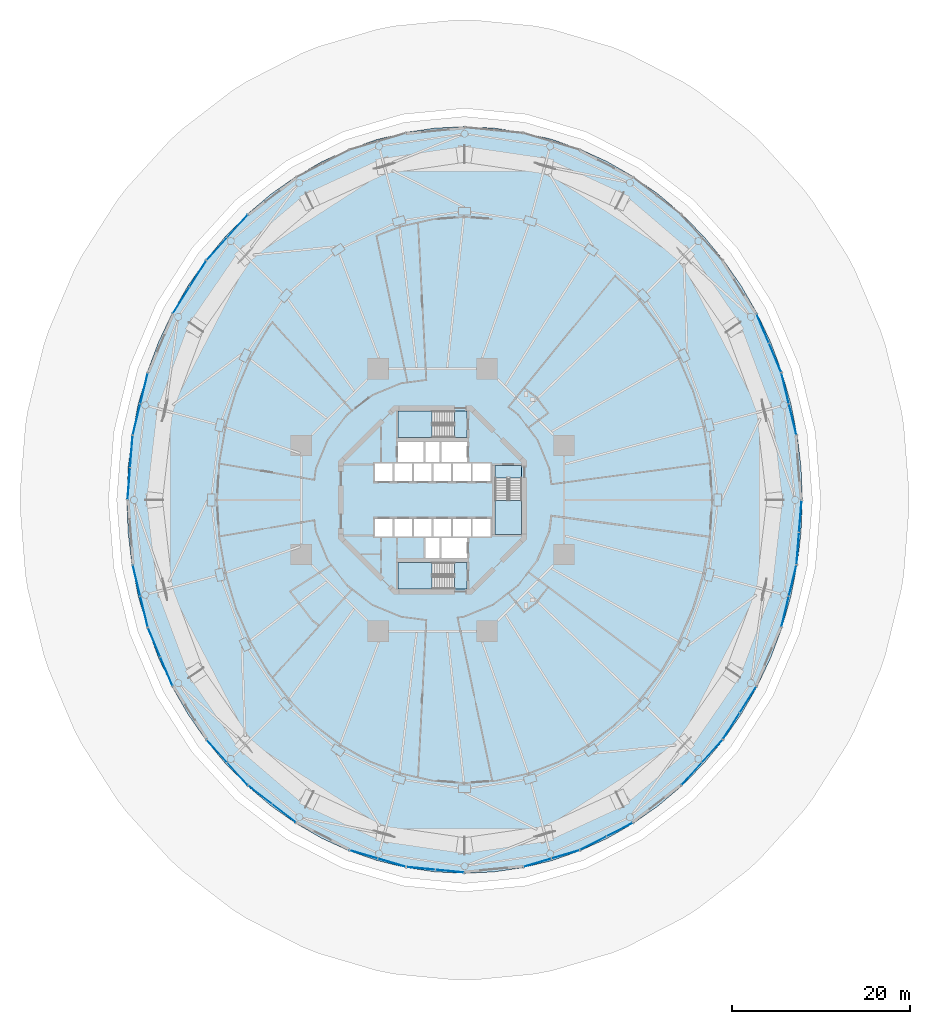
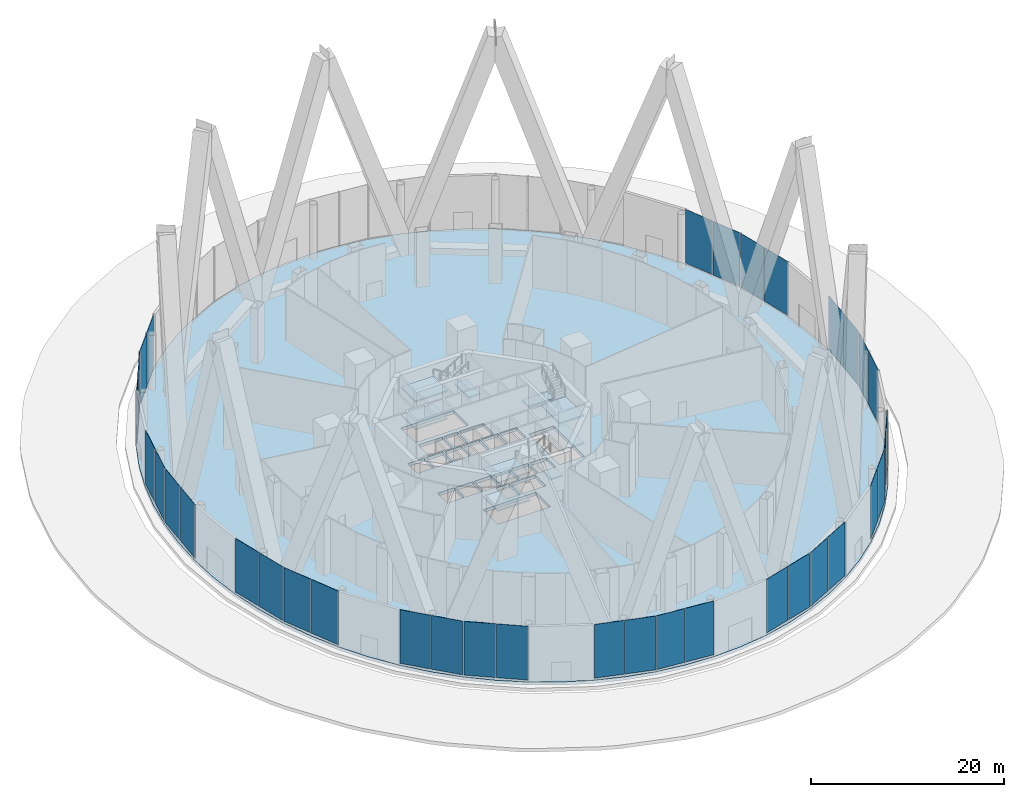
# One storey, part 56 of 67: 36 plates, 10 slabs, 21 elements without a shape of their own.
"""IFC4 building model written with IfcOpenShell, lengths in metres."""

import ifcopenshell
import ifcopenshell.guid

model = None  # the IFC model being written
_history = None  # IfcOwnerHistory: only IFC2X3 demands one
_inside = {}  # id of a spatial element -> (the spatial element, [elements in it])
_under = {}  # id of a project, library or spatial element -> (it, [spatial elements below it])
_declared = {}  # id of a project -> (the project, [libraries it declares])
_typed = {}  # id of a type object -> (the type object, [elements of that type])
_made_of = {}  # id of a material, layer set ... -> (it, [elements and type objects made of it])


def new_model(schema):
    """Start an empty IFC model of exactly this schema.

    Asked for "IFC4X3", IfcOpenShell would pick the latest addendum, in which some entities
    have other attributes; the version numbers below select the first issue.
    IFC2X3 requires an IfcOwnerHistory on every rooted entity: one is made here for all.
    """
    global model, _history
    if schema == "IFC4X3":
        model = ifcopenshell.file(schema_version=(4, 3, 0, 0))
    else:
        model = ifcopenshell.file(schema=schema)
    _inside.clear()
    _under.clear()
    _declared.clear()
    _typed.clear()
    _made_of.clear()
    _history = None
    if model.schema == "IFC2X3":
        org = make("IfcOrganization", Name="unknown")
        user = make(
            "IfcPersonAndOrganization",
            ThePerson=make("IfcPerson", FamilyName="unknown"),
            TheOrganization=org,
        )
        app = make(
            "IfcApplication",
            ApplicationDeveloper=org,
            Version="unknown",
            ApplicationFullName="unknown",
            ApplicationIdentifier="unknown",
        )
        _history = make(
            "IfcOwnerHistory",
            OwningUser=user,
            OwningApplication=app,
            ChangeAction="ADDED",
            CreationDate=0,
        )
    return model


def make(cls, **values):
    """One entity of the class cls with the attributes given. An attribute that is None is left unset."""
    return model.create_entity(
        cls, **{name: value for name, value in values.items() if value is not None}
    )


def rooted(cls, **values):
    """An entity with a GlobalId (a new one), such as an element, a storey or a relation."""
    return make(cls, GlobalId=ifcopenshell.guid.new(), OwnerHistory=_history, **values)


def si_unit(unit_type, name, prefix=None):
    """IfcSIUnit, for example si_unit("LENGTHUNIT", "METRE", prefix="MILLI")."""
    return make("IfcSIUnit", UnitType=unit_type, Prefix=prefix, Name=name)


def assignment(units):
    """IfcUnitAssignment: the units of a project."""
    return None if units is None else make("IfcUnitAssignment", Units=units)


def point(xyz):
    """IfcCartesianPoint."""
    return None if xyz is None else make("IfcCartesianPoint", Coordinates=xyz)


def direction(xyz):
    """IfcDirection."""
    return None if xyz is None else make("IfcDirection", DirectionRatios=xyz)


def frame(location, z_axis=None, x_axis=None):
    """IfcAxis2Placement3D, a coordinate frame: its origin and axes. An axis left out is left unset."""
    return make(
        "IfcAxis2Placement3D",
        Location=point(location),
        Axis=direction(z_axis),
        RefDirection=direction(x_axis),
    )


def frame_2d(location, x_axis=None):
    """IfcAxis2Placement2D, a coordinate frame in the plane: its origin and x axis."""
    return make(
        "IfcAxis2Placement2D", Location=point(location), RefDirection=direction(x_axis)
    )


def origin():
    """The frame at (0, 0, 0) with its axes left unset."""
    return frame((0.0, 0.0, 0.0))


def origin_2d():
    """The frame at (0, 0) in the plane with its x axis left unset."""
    return frame_2d((0.0, 0.0))


def place(relative_to, where):
    """IfcLocalPlacement: puts the frame where relative to a parent placement (None: the world)."""
    return make(
        "IfcLocalPlacement", PlacementRelTo=relative_to, RelativePlacement=where
    )


def context(
    kind, dimensions, precision=None, world=None, true_north=None, identifier=None
):
    """IfcGeometricRepresentationContext, for example the 3D "Model" context."""
    return make(
        "IfcGeometricRepresentationContext",
        ContextIdentifier=identifier,
        ContextType=kind,
        CoordinateSpaceDimension=dimensions,
        Precision=precision,
        WorldCoordinateSystem=world,
        TrueNorth=true_north,
    )


def subcontext(parent, identifier, kind, view, scale=None):
    """IfcGeometricRepresentationSubContext, for example "Body" below "Model"."""
    return make(
        "IfcGeometricRepresentationSubContext",
        ContextIdentifier=identifier,
        ContextType=kind,
        ParentContext=parent,
        TargetScale=scale,
        TargetView=view,
    )


def project(units=None, contexts=None):
    """IfcProject with its units and contexts."""
    return rooted(
        "IfcProject",
        Name="project",
        RepresentationContexts=contexts,
        UnitsInContext=assignment(units),
    )


def spatial(cls, under=None, at=None, **own):
    """A site, building, storey or space (cls), placed at a placement, below another one or the project."""
    s = rooted(cls, ObjectPlacement=at, **own)
    if under is not None:
        _under.setdefault(under.id(), (under, []))[1].append(s)
    return s


def polyline(points):
    """IfcPolyline through the points."""
    return make("IfcPolyline", Points=[point(p) for p in points])


def profile(cls, at=None, kind="AREA", **sizes):
    """A parametric profile (cls). Its sizes go by their IFC names, for example OverallWidth=200.0."""
    return make(cls, ProfileType=kind, Position=at, **sizes)


def rectangle(**sizes):
    """IfcRectangleProfileDef."""
    return profile("IfcRectangleProfileDef", **sizes)


def outline(outer, holes=None, kind="AREA"):
    """IfcArbitraryClosedProfileDef: a profile drawn as a closed curve; with holes, ...WithVoids."""
    if holes is None:
        return make("IfcArbitraryClosedProfileDef", ProfileType=kind, OuterCurve=outer)
    return make(
        "IfcArbitraryProfileDefWithVoids",
        ProfileType=kind,
        OuterCurve=outer,
        InnerCurves=holes,
    )


def extrude(swept, where, along, depth):
    """IfcExtrudedAreaSolid: the profile swept, set in the frame where, extruded along a direction by depth."""
    return make(
        "IfcExtrudedAreaSolid",
        SweptArea=swept,
        Position=where,
        ExtrudedDirection=direction(along),
        Depth=depth,
    )


def shape(context_of_items, identifier, shape_type, items):
    """IfcShapeRepresentation: the items that make up one representation, for example the "Body"."""
    return make(
        "IfcShapeRepresentation",
        ContextOfItems=context_of_items,
        RepresentationIdentifier=identifier,
        RepresentationType=shape_type,
        Items=items,
    )


def material(Name=None, Category=None):
    """IfcMaterial."""
    return make("IfcMaterial", Name=Name, Category=Category)


def layer(
    of_material, thickness, ventilated=None, Name=None, Category=None, Priority=None
):
    """IfcMaterialLayer: one layer of a wall or slab, of a material (None: an air gap)."""
    return make(
        "IfcMaterialLayer",
        Material=of_material,
        LayerThickness=thickness,
        IsVentilated=ventilated,
        Name=Name,
        Category=Category,
        Priority=Priority,
    )


def layer_set(layers, Name=None):
    """IfcMaterialLayerSet."""
    return make("IfcMaterialLayerSet", MaterialLayers=layers, LayerSetName=Name)


def made_of(thing, what):
    """Note that an element or type object is made of a material, layer set ...; save() writes the relation."""
    if what is not None:
        _made_of.setdefault(what.id(), (what, []))[1].append(thing)
    return thing


def type_object(cls, material=None, **own):
    """A type object (cls), such as IfcWallType, which elements share."""
    return made_of(rooted(cls, **own), material)


def element(
    cls,
    number,
    at=None,
    inside=None,
    cuts=None,
    type_object=None,
    material=None,
    context=None,
    identifier="Body",
    shape_type=None,
    held_by="IfcProductDefinitionShape",
    body=None,
    shapes=None,
    **own,
):
    """One element of the class cls, such as IfcWall. Its Tag is "e" and its number.

    at: its placement. inside: the storey or other place that contains it. cuts: it is an
    opening in that element (IfcRelVoidsElement). A single representation is given by context,
    identifier, shape_type and body (its items); several are given by shapes. held_by: the class
    of the entity that holds the representations. save() writes the other relations.
    """
    e = rooted(cls, Tag="e%d" % number, ObjectPlacement=at, **own)
    if body is not None:
        shapes = [shape(context, identifier, shape_type, body)]
    if shapes is not None:
        e.Representation = make(held_by, Representations=shapes)
    if inside is not None:
        _inside.setdefault(inside.id(), (inside, []))[1].append(e)
    if cuts is not None:
        rooted(
            "IfcRelVoidsElement", RelatingBuildingElement=cuts, RelatedOpeningElement=e
        )
    if type_object is not None:
        _typed.setdefault(type_object.id(), (type_object, []))[1].append(e)
    return made_of(e, material)


def aggregate(whole, parts):
    """IfcRelAggregates: a whole, such as a stair, and the parts it consists of."""
    return rooted("IfcRelAggregates", RelatingObject=whole, RelatedObjects=parts)


def save(model, path):
    """Write the relations noted so far, then the file.

    IfcRelAggregates (storeys below a building ...), IfcRelContainedInSpatialStructure (elements
    in a storey), IfcRelDefinesByType, IfcRelAssociatesMaterial and IfcRelDeclares: one each for
    every whole, place, type object, material and project.
    """
    for whole, parts in _under.values():
        aggregate(whole, parts)
    for where, things in _inside.values():
        rooted(
            "IfcRelContainedInSpatialStructure",
            RelatedElements=things,
            RelatingStructure=where,
        )
    for kind, things in _typed.values():
        rooted("IfcRelDefinesByType", RelatedObjects=things, RelatingType=kind)
    for what, things in _made_of.values():
        rooted("IfcRelAssociatesMaterial", RelatedObjects=things, RelatingMaterial=what)
    for by, libraries in _declared.values():
        rooted("IfcRelDeclares", RelatingContext=by, RelatedDefinitions=libraries)
    model.write(path)


model = new_model("IFC4")

# Units and contexts
model_context = context("Model", 3, precision=1e-05, world=origin(), true_north=direction((0.0, 1.0)))
body_context = subcontext(model_context, "Body", "Model", "MODEL_VIEW")
ifc_project = project(units=[si_unit("LENGTHUNIT", "METRE"), si_unit("AREAUNIT", "SQUARE_METRE"), si_unit("VOLUMEUNIT", "CUBIC_METRE"), si_unit("PLANEANGLEUNIT", "RADIAN"), si_unit("MASSUNIT", "GRAM", prefix="KILO")], contexts=[model_context])

# Site, building, storey
site_placement = place(None, origin())
site = spatial("IfcSite", under=ifc_project, at=site_placement, CompositionType="ELEMENT")
building_placement = place(site_placement, origin())
building = spatial("IfcBuilding", under=site, at=building_placement, Name="Nagisa Residences", CompositionType="ELEMENT")
storey_placement = place(building_placement, origin())
storey = spatial("IfcBuildingStorey", under=building, at=storey_placement, Name="L00", CompositionType="ELEMENT", Elevation=0.0)

# Curtain wall, plates
ifc_material_1 = material(Name="Stainless steel curtain wall system", Category="steel")
ifc_layer_1 = layer(ifc_material_1, 0.159912109375)
ifc_layer_set_1 = layer_set([ifc_layer_1], Name="CW3 CURTAIN WALL")
curtain_wall_type = type_object("IfcCurtainWallType", Name="CW3 CURTAIN WALL", PredefinedType="NOTDEFINED", material=ifc_layer_set_1)
curtain_wall_1_placement = place(storey_placement, origin())
curtain_wall_1 = element("IfcCurtainWall", 1, at=curtain_wall_1_placement, inside=storey, type_object=curtain_wall_type, Name="cw:CW3:L00:01", PredefinedType="NOTDEFINED")
ifc_material_2 = material(Name="Low-iron laminated glass", Category="glass")
ifc_layer_2 = layer(ifc_material_2, 0.028076171875)
ifc_layer_set_2 = layer_set([ifc_layer_2], Name="CW3 GLASS PANEL")
plate_type = type_object("IfcPlateType", Name="CW3 GLASS PANEL", PredefinedType="CURTAIN_PANEL", material=ifc_layer_set_2)
plate_1_placement = place(storey_placement, frame((40.51171875, 9.061767578125, 0.2001953125), z_axis=(0.0, 0.0, 1.0), x_axis=(-0.235605514043, 0.971848775146, 0.0)))
plate_1 = element("IfcPlate", 2, at=plate_1_placement, type_object=plate_type, Name="CW3 panel", PredefinedType="CURTAIN_PANEL", context=body_context, shape_type="SweptSolid", body=[
    extrude(rectangle(XDim=3.518310546875, YDim=0.028076171875, at=origin_2d()), origin(), (0.0, 0.0, 1.0), 6.800048828125),
])
plate_2_placement = place(storey_placement, frame((39.663818359375, 12.55859375, 0.2001953125), z_axis=(0.0, 0.0, 1.0), x_axis=(-0.235605514043, 0.971848775146, 0.0)))
plate_2 = element("IfcPlate", 3, at=plate_2_placement, type_object=plate_type, Name="CW3 panel", PredefinedType="CURTAIN_PANEL", context=body_context, shape_type="SweptSolid", body=[
    extrude(rectangle(XDim=3.518310546875, YDim=0.028076171875, at=origin_2d()), origin(), (0.0, 0.0, 1.0), 6.800048828125),
])
aggregate(curtain_wall_1, [plate_1, plate_2])

curtain_wall_2_placement = place(storey_placement, origin())
curtain_wall_2 = element("IfcCurtainWall", 4, at=curtain_wall_2_placement, inside=storey, type_object=curtain_wall_type, Name="cw:CW3:L00:02", PredefinedType="NOTDEFINED")
plate_3_placement = place(storey_placement, frame((38.527099609375, 16.010986328125, 0.2001953125), z_axis=(0.0, 0.0, 1.0), x_axis=(-0.388718029417, 0.921356767819, 0.0)))
plate_3 = element("IfcPlate", 5, at=plate_3_placement, type_object=plate_type, Name="CW3 panel", PredefinedType="CURTAIN_PANEL", context=body_context, shape_type="SweptSolid", body=[
    extrude(rectangle(XDim=3.480712890625, YDim=0.028076171875, at=origin_2d()), origin(), (0.0, 0.0, 1.0), 6.800048828125),
])
plate_4_placement = place(storey_placement, frame((37.142822265625, 19.291748046875, 0.2001953125), z_axis=(0.0, 0.0, 1.0), x_axis=(-0.388718029417, 0.921356767819, 0.0)))
plate_4 = element("IfcPlate", 6, at=plate_4_placement, type_object=plate_type, Name="CW3 panel", PredefinedType="CURTAIN_PANEL", context=body_context, shape_type="SweptSolid", body=[
    extrude(rectangle(XDim=3.480712890625, YDim=0.028076171875, at=origin_2d()), origin(), (0.0, 0.0, 1.0), 6.800048828125),
])
aggregate(curtain_wall_2, [plate_3, plate_4])

curtain_wall_3_placement = place(storey_placement, origin())
curtain_wall_3 = element("IfcCurtainWall", 7, at=curtain_wall_3_placement, inside=storey, type_object=curtain_wall_type, Name="cw:CW3:L00:13", PredefinedType="NOTDEFINED")
plate_5_placement = place(storey_placement, frame((-21.950927734375, 30.811279296875, 0.2001953125), z_axis=(0.0, 0.0, 1.0), x_axis=(-0.670913323971, -0.741535779122, 0.0)))
plate_5 = element("IfcPlate", 8, at=plate_5_placement, type_object=plate_type, Name="CW3 panel", PredefinedType="CURTAIN_PANEL", context=body_context, shape_type="SweptSolid", body=[
    extrude(rectangle(XDim=3.37060546875, YDim=0.028076171875, at=origin_2d()), origin(), (0.0, 0.0, 1.0), 6.800048828125),
])
plate_6_placement = place(storey_placement, frame((-24.26611328125, 28.25244140625, 0.2001953125), z_axis=(0.0, 0.0, 1.0), x_axis=(-0.670913323971, -0.741535779122, 0.0)))
plate_6 = element("IfcPlate", 9, at=plate_6_placement, type_object=plate_type, Name="CW3 panel", PredefinedType="CURTAIN_PANEL", context=body_context, shape_type="SweptSolid", body=[
    extrude(rectangle(XDim=3.37060546875, YDim=0.028076171875, at=origin_2d()), origin(), (0.0, 0.0, 1.0), 6.800048828125),
])
aggregate(curtain_wall_3, [plate_5, plate_6])

curtain_wall_4_placement = place(storey_placement, origin())
curtain_wall_4 = element("IfcCurtainWall", 10, at=curtain_wall_4_placement, inside=storey, type_object=curtain_wall_type, Name="cw:CW3:L00:14", PredefinedType="NOTDEFINED")
plate_7_placement = place(storey_placement, frame((-26.402587890625, 25.43798828125, 0.2001953125), z_axis=(0.0, 0.0, 1.0), x_axis=(-0.535165286856, -0.844747368001, 0.0)))
plate_7 = element("IfcPlate", 11, at=plate_7_placement, type_object=plate_type, Name="CW3 panel", PredefinedType="CURTAIN_PANEL", context=body_context, shape_type="SweptSolid", body=[
    extrude(rectangle(XDim=3.4296875, YDim=0.028076171875, at=origin_2d()), origin(), (0.0, 0.0, 1.0), 6.800048828125),
])
plate_8_placement = place(storey_placement, frame((-28.28076171875, 22.473388671875, 0.2001953125), z_axis=(0.0, 0.0, 1.0), x_axis=(-0.535165286856, -0.844747368001, 0.0)))
plate_8 = element("IfcPlate", 12, at=plate_8_placement, type_object=plate_type, Name="CW3 panel", PredefinedType="CURTAIN_PANEL", context=body_context, shape_type="SweptSolid", body=[
    extrude(rectangle(XDim=3.4296875, YDim=0.028076171875, at=origin_2d()), origin(), (0.0, 0.0, 1.0), 6.800048828125),
])
aggregate(curtain_wall_4, [plate_7, plate_8])

curtain_wall_5_placement = place(storey_placement, origin())
curtain_wall_5 = element("IfcCurtainWall", 13, at=curtain_wall_5_placement, inside=storey, type_object=curtain_wall_type, Name="cw:CW3:L00:16", PredefinedType="NOTDEFINED")
plate_9_placement = place(storey_placement, frame((-32.4638671875, 12.55859375, 0.2001953125), z_axis=(0.0, 0.0, 1.0), x_axis=(-0.235605514043, -0.971848775146, 0.0)))
plate_9 = element("IfcPlate", 14, at=plate_9_placement, type_object=plate_type, Name="CW3 panel", PredefinedType="CURTAIN_PANEL", context=body_context, shape_type="SweptSolid", body=[
    extrude(rectangle(XDim=3.518310546875, YDim=0.028076171875, at=origin_2d()), origin(), (0.0, 0.0, 1.0), 6.800048828125),
])
plate_10_placement = place(storey_placement, frame((-33.3115234375, 9.061767578125, 0.2001953125), z_axis=(0.0, 0.0, 1.0), x_axis=(-0.235605514043, -0.971848775146, 0.0)))
plate_10 = element("IfcPlate", 15, at=plate_10_placement, type_object=plate_type, Name="CW3 panel", PredefinedType="CURTAIN_PANEL", context=body_context, shape_type="SweptSolid", body=[
    extrude(rectangle(XDim=3.518310546875, YDim=0.028076171875, at=origin_2d()), origin(), (0.0, 0.0, 1.0), 6.800048828125),
])
aggregate(curtain_wall_5, [plate_9, plate_10])

curtain_wall_6_placement = place(storey_placement, origin())
curtain_wall_6 = element("IfcCurtainWall", 16, at=curtain_wall_6_placement, inside=storey, type_object=curtain_wall_type, Name="cw:CW3:L00:17", PredefinedType="NOTDEFINED")
plate_11_placement = place(storey_placement, frame((-33.888916015625, 5.443603515625, 0.2001953125), z_axis=(0.0, 0.0, 1.0), x_axis=(-0.078909582539, -0.996881777235, 0.0)))
plate_11 = element("IfcPlate", 17, at=plate_11_placement, type_object=plate_type, Name="CW3 panel", PredefinedType="CURTAIN_PANEL", context=body_context, shape_type="SweptSolid", body=[
    extrude(rectangle(XDim=3.5380859375, YDim=0.028076171875, at=origin_2d()), origin(), (0.0, 0.0, 1.0), 6.800048828125),
])
plate_12_placement = place(storey_placement, frame((-34.17431640625, 1.8369140625, 0.2001953125), z_axis=(0.0, 0.0, 1.0), x_axis=(-0.078909582539, -0.996881777235, 0.0)))
plate_12 = element("IfcPlate", 18, at=plate_12_placement, type_object=plate_type, Name="CW3 panel", PredefinedType="CURTAIN_PANEL", context=body_context, shape_type="SweptSolid", body=[
    extrude(rectangle(XDim=3.5380859375, YDim=0.028076171875, at=origin_2d()), origin(), (0.0, 0.0, 1.0), 6.800048828125),
])
aggregate(curtain_wall_6, [plate_11, plate_12])

curtain_wall_7_placement = place(storey_placement, origin())
curtain_wall_7 = element("IfcCurtainWall", 19, at=curtain_wall_7_placement, inside=storey, type_object=curtain_wall_type, Name="cw:CW3:L00:19", PredefinedType="NOTDEFINED")
plate_13_placement = place(storey_placement, frame((-33.3115234375, -9.061767578125, 0.2001953125), z_axis=(0.0, 0.0, 1.0), x_axis=(0.235605514043, -0.971848775146, 0.0)))
plate_13 = element("IfcPlate", 20, at=plate_13_placement, type_object=plate_type, Name="CW3 panel", PredefinedType="CURTAIN_PANEL", context=body_context, shape_type="SweptSolid", body=[
    extrude(rectangle(XDim=3.518310546875, YDim=0.028076171875, at=origin_2d()), origin(), (0.0, 0.0, 1.0), 6.800048828125),
])
plate_14_placement = place(storey_placement, frame((-32.4638671875, -12.55859375, 0.2001953125), z_axis=(0.0, 0.0, 1.0), x_axis=(0.235605514043, -0.971848775146, 0.0)))
plate_14 = element("IfcPlate", 21, at=plate_14_placement, type_object=plate_type, Name="CW3 panel", PredefinedType="CURTAIN_PANEL", context=body_context, shape_type="SweptSolid", body=[
    extrude(rectangle(XDim=3.518310546875, YDim=0.028076171875, at=origin_2d()), origin(), (0.0, 0.0, 1.0), 6.800048828125),
])
aggregate(curtain_wall_7, [plate_13, plate_14])

curtain_wall_8_placement = place(storey_placement, origin())
curtain_wall_8 = element("IfcCurtainWall", 22, at=curtain_wall_8_placement, inside=storey, type_object=curtain_wall_type, Name="cw:CW3:L00:20", PredefinedType="NOTDEFINED")
plate_15_placement = place(storey_placement, frame((-31.326904296875, -16.010986328125, 0.2001953125), z_axis=(0.0, 0.0, 1.0), x_axis=(0.388718029417, -0.921356767819, 0.0)))
plate_15 = element("IfcPlate", 23, at=plate_15_placement, type_object=plate_type, Name="CW3 panel", PredefinedType="CURTAIN_PANEL", context=body_context, shape_type="SweptSolid", body=[
    extrude(rectangle(XDim=3.480712890625, YDim=0.028076171875, at=origin_2d()), origin(), (0.0, 0.0, 1.0), 6.800048828125),
])
plate_16_placement = place(storey_placement, frame((-29.94287109375, -19.291748046875, 0.2001953125), z_axis=(0.0, 0.0, 1.0), x_axis=(0.388718029417, -0.921356767819, 0.0)))
plate_16 = element("IfcPlate", 24, at=plate_16_placement, type_object=plate_type, Name="CW3 panel", PredefinedType="CURTAIN_PANEL", context=body_context, shape_type="SweptSolid", body=[
    extrude(rectangle(XDim=3.480712890625, YDim=0.028076171875, at=origin_2d()), origin(), (0.0, 0.0, 1.0), 6.800048828125),
])
aggregate(curtain_wall_8, [plate_15, plate_16])

curtain_wall_9_placement = place(storey_placement, origin())
curtain_wall_9 = element("IfcCurtainWall", 25, at=curtain_wall_9_placement, inside=storey, type_object=curtain_wall_type, Name="cw:CW3:L00:22", PredefinedType="NOTDEFINED")
plate_17_placement = place(storey_placement, frame((-24.26611328125, -28.25244140625, 0.2001953125), z_axis=(0.0, 0.0, 1.0), x_axis=(0.670913323971, -0.741535779122, 0.0)))
plate_17 = element("IfcPlate", 26, at=plate_17_placement, type_object=plate_type, Name="CW3 panel", PredefinedType="CURTAIN_PANEL", context=body_context, shape_type="SweptSolid", body=[
    extrude(rectangle(XDim=3.37060546875, YDim=0.028076171875, at=origin_2d()), origin(), (0.0, 0.0, 1.0), 6.800048828125),
])
plate_18_placement = place(storey_placement, frame((-21.950927734375, -30.811279296875, 0.2001953125), z_axis=(0.0, 0.0, 1.0), x_axis=(0.670913323971, -0.741535779122, 0.0)))
plate_18 = element("IfcPlate", 27, at=plate_18_placement, type_object=plate_type, Name="CW3 panel", PredefinedType="CURTAIN_PANEL", context=body_context, shape_type="SweptSolid", body=[
    extrude(rectangle(XDim=3.37060546875, YDim=0.028076171875, at=origin_2d()), origin(), (0.0, 0.0, 1.0), 6.800048828125),
])
aggregate(curtain_wall_9, [plate_17, plate_18])

curtain_wall_10_placement = place(storey_placement, origin())
curtain_wall_10 = element("IfcCurtainWall", 28, at=curtain_wall_10_placement, inside=storey, type_object=curtain_wall_type, Name="cw:CW3:L00:23", PredefinedType="NOTDEFINED")
plate_19_placement = place(storey_placement, frame((-19.40478515625, -33.172607421875, 0.2001953125), z_axis=(0.0, 0.0, 1.0), x_axis=(0.790830864353, -0.612034757172, 0.0)))
plate_19 = element("IfcPlate", 29, at=plate_19_placement, type_object=plate_type, Name="CW3 panel", PredefinedType="CURTAIN_PANEL", context=body_context, shape_type="SweptSolid", body=[
    extrude(rectangle(XDim=3.310546875, YDim=0.028076171875, at=origin_2d()), origin(), (0.0, 0.0, 1.0), 6.800048828125),
])
plate_20_placement = place(storey_placement, frame((-16.723388671875, -35.247802734375, 0.2001953125), z_axis=(0.0, 0.0, 1.0), x_axis=(0.790830864353, -0.612034757172, 0.0)))
plate_20 = element("IfcPlate", 30, at=plate_20_placement, type_object=plate_type, Name="CW3 panel", PredefinedType="CURTAIN_PANEL", context=body_context, shape_type="SweptSolid", body=[
    extrude(rectangle(XDim=3.310546875, YDim=0.028076171875, at=origin_2d()), origin(), (0.0, 0.0, 1.0), 6.800048828125),
])
aggregate(curtain_wall_10, [plate_19, plate_20])

curtain_wall_11_placement = place(storey_placement, origin())
curtain_wall_11 = element("IfcCurtainWall", 31, at=curtain_wall_11_placement, inside=storey, type_object=curtain_wall_type, Name="cw:CW3:L00:25", PredefinedType="NOTDEFINED")
plate_21_placement = place(storey_placement, frame((-7.75537109375, -39.869873046875, 0.2001953125), z_axis=(0.0, 0.0, 1.0), x_axis=(0.958835171393, -0.283963226669, 0.0)))
plate_21 = element("IfcPlate", 32, at=plate_21_placement, type_object=plate_type, Name="CW3 panel", PredefinedType="CURTAIN_PANEL", context=body_context, shape_type="SweptSolid", body=[
    extrude(rectangle(XDim=3.21630859375, YDim=0.028076171875, at=origin_2d()), origin(), (0.0, 0.0, 1.0), 6.800048828125),
])
plate_22_placement = place(storey_placement, frame((-4.5947265625, -40.805908203125, 0.2001953125), z_axis=(0.0, 0.0, 1.0), x_axis=(0.958835171393, -0.283963226669, 0.0)))
plate_22 = element("IfcPlate", 33, at=plate_22_placement, type_object=plate_type, Name="CW3 panel", PredefinedType="CURTAIN_PANEL", context=body_context, shape_type="SweptSolid", body=[
    extrude(rectangle(XDim=3.21630859375, YDim=0.028076171875, at=origin_2d()), origin(), (0.0, 0.0, 1.0), 6.800048828125),
])
aggregate(curtain_wall_11, [plate_21, plate_22])

curtain_wall_12_placement = place(storey_placement, origin())
curtain_wall_12 = element("IfcCurtainWall", 34, at=curtain_wall_12_placement, inside=storey, type_object=curtain_wall_type, Name="cw:CW3:L00:26", PredefinedType="NOTDEFINED")
plate_23_placement = place(storey_placement, frame((-1.3212890625, -41.44384765625, 0.2001953125), z_axis=(0.0, 0.0, 1.0), x_axis=(0.995357282289, -0.096249055035, 0.0)))
plate_23 = element("IfcPlate", 35, at=plate_23_placement, type_object=plate_type, Name="CW3 panel", PredefinedType="CURTAIN_PANEL", context=body_context, shape_type="SweptSolid", body=[
    extrude(rectangle(XDim=3.19482421875, YDim=0.028076171875, at=origin_2d()), origin(), (0.0, 0.0, 1.0), 6.800048828125),
])
plate_24_placement = place(storey_placement, frame((1.938232421875, -41.759033203125, 0.2001953125), z_axis=(0.0, 0.0, 1.0), x_axis=(0.995357282289, -0.096249055035, 0.0)))
plate_24 = element("IfcPlate", 36, at=plate_24_placement, type_object=plate_type, Name="CW3 panel", PredefinedType="CURTAIN_PANEL", context=body_context, shape_type="SweptSolid", body=[
    extrude(rectangle(XDim=3.19482421875, YDim=0.028076171875, at=origin_2d()), origin(), (0.0, 0.0, 1.0), 6.800048828125),
])
aggregate(curtain_wall_12, [plate_23, plate_24])

curtain_wall_13_placement = place(storey_placement, origin())
curtain_wall_13 = element("IfcCurtainWall", 37, at=curtain_wall_13_placement, inside=storey, type_object=curtain_wall_type, Name="cw:CW3:L00:28", PredefinedType="NOTDEFINED")
plate_25_placement = place(storey_placement, frame((11.794677734375, -40.805908203125, 0.2001953125), z_axis=(0.0, 0.0, 1.0), x_axis=(0.958835171393, 0.283963226669, 0.0)))
plate_25 = element("IfcPlate", 38, at=plate_25_placement, type_object=plate_type, Name="CW3 panel", PredefinedType="CURTAIN_PANEL", context=body_context, shape_type="SweptSolid", body=[
    extrude(rectangle(XDim=3.21630859375, YDim=0.028076171875, at=origin_2d()), origin(), (0.0, 0.0, 1.0), 6.800048828125),
])
plate_26_placement = place(storey_placement, frame((14.955322265625, -39.869873046875, 0.2001953125), z_axis=(0.0, 0.0, 1.0), x_axis=(0.958835171393, 0.283963226669, 0.0)))
plate_26 = element("IfcPlate", 39, at=plate_26_placement, type_object=plate_type, Name="CW3 panel", PredefinedType="CURTAIN_PANEL", context=body_context, shape_type="SweptSolid", body=[
    extrude(rectangle(XDim=3.21630859375, YDim=0.028076171875, at=origin_2d()), origin(), (0.0, 0.0, 1.0), 6.800048828125),
])
aggregate(curtain_wall_13, [plate_25, plate_26])

curtain_wall_14_placement = place(storey_placement, origin())
curtain_wall_14 = element("IfcCurtainWall", 40, at=curtain_wall_14_placement, inside=storey, type_object=curtain_wall_type, Name="cw:CW3:L00:29", PredefinedType="NOTDEFINED")
plate_27_placement = place(storey_placement, frame((18.07861328125, -38.61328125, 0.2001953125), z_axis=(0.0, 0.0, 1.0), x_axis=(0.888887270285, 0.45812598783, 0.0)))
plate_27 = element("IfcPlate", 41, at=plate_27_placement, type_object=plate_type, Name="CW3 panel", PredefinedType="CURTAIN_PANEL", context=body_context, shape_type="SweptSolid", body=[
    extrude(rectangle(XDim=3.2568359375, YDim=0.028076171875, at=origin_2d()), origin(), (0.0, 0.0, 1.0), 6.800048828125),
])
plate_28_placement = place(storey_placement, frame((21.044677734375, -37.084716796875, 0.2001953125), z_axis=(0.0, 0.0, 1.0), x_axis=(0.888887270285, 0.45812598783, 0.0)))
plate_28 = element("IfcPlate", 42, at=plate_28_placement, type_object=plate_type, Name="CW3 panel", PredefinedType="CURTAIN_PANEL", context=body_context, shape_type="SweptSolid", body=[
    extrude(rectangle(XDim=3.2568359375, YDim=0.028076171875, at=origin_2d()), origin(), (0.0, 0.0, 1.0), 6.800048828125),
])
aggregate(curtain_wall_14, [plate_27, plate_28])

curtain_wall_15_placement = place(storey_placement, origin())
curtain_wall_15 = element("IfcCurtainWall", 43, at=curtain_wall_15_placement, inside=storey, type_object=curtain_wall_type, Name="cw:CW3:L00:31", PredefinedType="NOTDEFINED")
plate_29_placement = place(storey_placement, frame((29.15087890625, -30.811279296875, 0.2001953125), z_axis=(0.0, 0.0, 1.0), x_axis=(0.670913323971, 0.741535779122, 0.0)))
plate_29 = element("IfcPlate", 44, at=plate_29_placement, type_object=plate_type, Name="CW3 panel", PredefinedType="CURTAIN_PANEL", context=body_context, shape_type="SweptSolid", body=[
    extrude(rectangle(XDim=3.37060546875, YDim=0.028076171875, at=origin_2d()), origin(), (0.0, 0.0, 1.0), 6.800048828125),
])
plate_30_placement = place(storey_placement, frame((31.466064453125, -28.25244140625, 0.2001953125), z_axis=(0.0, 0.0, 1.0), x_axis=(0.670913323971, 0.741535779122, 0.0)))
plate_30 = element("IfcPlate", 45, at=plate_30_placement, type_object=plate_type, Name="CW3 panel", PredefinedType="CURTAIN_PANEL", context=body_context, shape_type="SweptSolid", body=[
    extrude(rectangle(XDim=3.37060546875, YDim=0.028076171875, at=origin_2d()), origin(), (0.0, 0.0, 1.0), 6.800048828125),
])
aggregate(curtain_wall_15, [plate_29, plate_30])

curtain_wall_16_placement = place(storey_placement, origin())
curtain_wall_16 = element("IfcCurtainWall", 46, at=curtain_wall_16_placement, inside=storey, type_object=curtain_wall_type, Name="cw:CW3:L00:32", PredefinedType="NOTDEFINED")
plate_31_placement = place(storey_placement, frame((33.6025390625, -25.43798828125, 0.2001953125), z_axis=(0.0, 0.0, 1.0), x_axis=(0.535165286856, 0.844747368001, 0.0)))
plate_31 = element("IfcPlate", 47, at=plate_31_placement, type_object=plate_type, Name="CW3 panel", PredefinedType="CURTAIN_PANEL", context=body_context, shape_type="SweptSolid", body=[
    extrude(rectangle(XDim=3.4296875, YDim=0.028076171875, at=origin_2d()), origin(), (0.0, 0.0, 1.0), 6.800048828125),
])
plate_32_placement = place(storey_placement, frame((35.48095703125, -22.473388671875, 0.2001953125), z_axis=(0.0, 0.0, 1.0), x_axis=(0.535165286856, 0.844747368001, 0.0)))
plate_32 = element("IfcPlate", 48, at=plate_32_placement, type_object=plate_type, Name="CW3 panel", PredefinedType="CURTAIN_PANEL", context=body_context, shape_type="SweptSolid", body=[
    extrude(rectangle(XDim=3.4296875, YDim=0.028076171875, at=origin_2d()), origin(), (0.0, 0.0, 1.0), 6.800048828125),
])
aggregate(curtain_wall_16, [plate_31, plate_32])

curtain_wall_17_placement = place(storey_placement, origin())
curtain_wall_17 = element("IfcCurtainWall", 49, at=curtain_wall_17_placement, inside=storey, type_object=curtain_wall_type, Name="cw:CW3:L00:34", PredefinedType="NOTDEFINED")
plate_33_placement = place(storey_placement, frame((39.663818359375, -12.55859375, 0.2001953125), z_axis=(0.0, 0.0, 1.0), x_axis=(0.235605514043, 0.971848775146, 0.0)))
plate_33 = element("IfcPlate", 50, at=plate_33_placement, type_object=plate_type, Name="CW3 panel", PredefinedType="CURTAIN_PANEL", context=body_context, shape_type="SweptSolid", body=[
    extrude(rectangle(XDim=3.518310546875, YDim=0.028076171875, at=origin_2d()), origin(), (0.0, 0.0, 1.0), 6.800048828125),
])
plate_34_placement = place(storey_placement, frame((40.51171875, -9.061767578125, 0.2001953125), z_axis=(0.0, 0.0, 1.0), x_axis=(0.235605514043, 0.971848775146, 0.0)))
plate_34 = element("IfcPlate", 51, at=plate_34_placement, type_object=plate_type, Name="CW3 panel", PredefinedType="CURTAIN_PANEL", context=body_context, shape_type="SweptSolid", body=[
    extrude(rectangle(XDim=3.518310546875, YDim=0.028076171875, at=origin_2d()), origin(), (0.0, 0.0, 1.0), 6.800048828125),
])
aggregate(curtain_wall_17, [plate_33, plate_34])

curtain_wall_18_placement = place(storey_placement, origin())
curtain_wall_18 = element("IfcCurtainWall", 52, at=curtain_wall_18_placement, inside=storey, type_object=curtain_wall_type, Name="cw:CW3:L00:35", PredefinedType="NOTDEFINED")
plate_35_placement = place(storey_placement, frame((41.0888671875, -5.443603515625, 0.2001953125), z_axis=(0.0, 0.0, 1.0), x_axis=(0.078909582539, 0.996881777235, 0.0)))
plate_35 = element("IfcPlate", 53, at=plate_35_placement, type_object=plate_type, Name="CW3 panel", PredefinedType="CURTAIN_PANEL", context=body_context, shape_type="SweptSolid", body=[
    extrude(rectangle(XDim=3.5380859375, YDim=0.028076171875, at=origin_2d()), origin(), (0.0, 0.0, 1.0), 6.800048828125),
])
plate_36_placement = place(storey_placement, frame((41.374267578125, -1.8369140625, 0.2001953125), z_axis=(0.0, 0.0, 1.0), x_axis=(0.078909582539, 0.996881777235, 0.0)))
plate_36 = element("IfcPlate", 54, at=plate_36_placement, type_object=plate_type, Name="CW3 panel", PredefinedType="CURTAIN_PANEL", context=body_context, shape_type="SweptSolid", body=[
    extrude(rectangle(XDim=3.5380859375, YDim=0.028076171875, at=origin_2d()), origin(), (0.0, 0.0, 1.0), 6.800048828125),
])
aggregate(curtain_wall_18, [plate_35, plate_36])

# Slab
ifc_material_3 = material(Name="Concrete C40", Category="concrete")
ifc_layer_3 = layer(ifc_material_3, 0.39990234375)
ifc_layer_set_3 = layer_set([ifc_layer_3], Name="Floor slab 400")
slab_type_1 = type_object("IfcSlabType", Name="Floor slab 400", PredefinedType="FLOOR", material=ifc_layer_set_3)
slab_1_placement = place(storey_placement, frame((0.0, 0.0, -0.39990234375)))
element("IfcSlab", 55, at=slab_1_placement, inside=storey, type_object=slab_type_1, Name="slab:L00:floor", PredefinedType="FLOOR", context=body_context, shape_type="SweptSolid", body=[
    extrude(outline(polyline([(41.60009765625, 0.0), (41.455322265625, 3.66064453125), (41.022705078125, 7.293212890625), (40.30517578125, 10.870361328125), (39.308349609375, 14.36474609375), (38.039794921875, 17.75), (36.509033203125, 21.0), (34.727783203125, 24.09033203125), (32.709716796875, 26.9970703125), (30.469970703125, 29.698486328125), (28.02587890625, 32.173828125), (25.39599609375, 34.404296875), (22.60009765625, 36.373046875), (19.659423828125, 38.06494140625), (16.5966796875, 39.467041015625), (13.43505859375, 40.56884765625), (10.19873046875, 41.36181640625), (6.911865234375, 41.840087890625), (3.60009765625, 42.0), (0.2880859375, 41.840087890625), (-2.99853515625, 41.36181640625), (-6.235107421875, 40.56884765625), (-9.396728515625, 39.467041015625), (-12.45947265625, 38.06494140625), (-15.39990234375, 36.373046875), (-18.19580078125, 34.404296875), (-20.825927734375, 32.173828125), (-23.27001953125, 29.698486328125), (-25.509765625, 26.9970703125), (-27.52783203125, 24.09033203125), (-29.30908203125, 21.0), (-30.839599609375, 17.75), (-32.1083984375, 14.36474609375), (-33.105224609375, 10.870361328125), (-33.82275390625, 7.293212890625), (-34.25537109375, 3.66064453125), (-34.39990234375, 0.0), (-34.25537109375, -3.66064453125), (-33.82275390625, -7.293212890625), (-33.105224609375, -10.870361328125), (-32.1083984375, -14.36474609375), (-30.839599609375, -17.75), (-29.30908203125, -21.0), (-27.52783203125, -24.09033203125), (-25.509765625, -26.9970703125), (-23.27001953125, -29.698486328125), (-20.825927734375, -32.173828125), (-18.19580078125, -34.404296875), (-15.39990234375, -36.373046875), (-12.45947265625, -38.06494140625), (-9.396728515625, -39.467041015625), (-6.235107421875, -40.56884765625), (-2.99853515625, -41.36181640625), (0.2880859375, -41.840087890625), (3.60009765625, -42.0), (6.911865234375, -41.840087890625), (10.19873046875, -41.36181640625), (13.43505859375, -40.56884765625), (16.5966796875, -39.467041015625), (19.659423828125, -38.06494140625), (22.60009765625, -36.373046875), (25.39599609375, -34.404296875), (28.02587890625, -32.173828125), (30.469970703125, -29.698486328125), (32.709716796875, -26.9970703125), (34.727783203125, -24.09033203125), (36.509033203125, -21.0), (38.039794921875, -17.75), (39.308349609375, -14.36474609375), (40.30517578125, -10.870361328125), (41.022705078125, -7.293212890625), (41.455322265625, -3.66064453125), (41.60009765625, 0.0)]), holes=[polyline([(-4.5, 2.10009765625), (-4.5, 4.10009765625), (-6.5, 4.10009765625), (-6.5, 2.10009765625), (-4.5, 2.10009765625)]), polyline([(-2.300048828125, 2.10009765625), (-2.300048828125, 4.10009765625), (-4.300048828125, 4.10009765625), (-4.300048828125, 2.10009765625), (-2.300048828125, 2.10009765625)]), polyline([(-0.10009765625, 2.10009765625), (-0.10009765625, 4.10009765625), (-2.10009765625, 4.10009765625), (-2.10009765625, 2.10009765625), (-0.10009765625, 2.10009765625)]), polyline([(2.10009765625, 2.10009765625), (2.10009765625, 4.10009765625), (0.10009765625, 4.10009765625), (0.10009765625, 2.10009765625), (2.10009765625, 2.10009765625)]), polyline([(4.300048828125, 2.10009765625), (4.300048828125, 4.10009765625), (2.300048828125, 4.10009765625), (2.300048828125, 2.10009765625), (4.300048828125, 2.10009765625)]), polyline([(6.5, 2.10009765625), (6.5, 4.10009765625), (4.5, 4.10009765625), (4.5, 2.10009765625), (6.5, 2.10009765625)]), polyline([(-4.5, -4.10009765625), (-4.5, -2.10009765625), (-6.5, -2.10009765625), (-6.5, -4.10009765625), (-4.5, -4.10009765625)]), polyline([(-2.300048828125, -4.10009765625), (-2.300048828125, -2.10009765625), (-4.300048828125, -2.10009765625), (-4.300048828125, -4.10009765625), (-2.300048828125, -4.10009765625)]), polyline([(-0.10009765625, -4.10009765625), (-0.10009765625, -2.10009765625), (-2.10009765625, -2.10009765625), (-2.10009765625, -4.10009765625), (-0.10009765625, -4.10009765625)]), polyline([(2.10009765625, -4.10009765625), (2.10009765625, -2.10009765625), (0.10009765625, -2.10009765625), (0.10009765625, -4.10009765625), (2.10009765625, -4.10009765625)]), polyline([(4.300048828125, -4.10009765625), (4.300048828125, -2.10009765625), (2.300048828125, -2.10009765625), (2.300048828125, -4.10009765625), (4.300048828125, -4.10009765625)]), polyline([(6.5, -4.10009765625), (6.5, -2.10009765625), (4.5, -2.10009765625), (4.5, -4.10009765625), (6.5, -4.10009765625)]), polyline([(3.89990234375, 4.300048828125), (3.89990234375, 6.5), (1.0, 6.5), (1.0, 4.300048828125), (3.89990234375, 4.300048828125)]), polyline([(3.89990234375, -6.5), (3.89990234375, -4.300048828125), (1.0, -4.300048828125), (1.0, -6.5), (3.89990234375, -6.5)]), polyline([(-1.0, 4.300048828125), (-1.0, 6.5), (-3.89990234375, 6.5), (-3.89990234375, 4.300048828125), (-1.0, 4.300048828125)]), polyline([(0.800048828125, 4.300048828125), (0.800048828125, 6.5), (-0.800048828125, 6.5), (-0.800048828125, 4.300048828125), (0.800048828125, 4.300048828125)]), polyline([(0.800048828125, -6.5), (0.800048828125, -4.300048828125), (-0.800048828125, -4.300048828125), (-0.800048828125, -6.5), (0.800048828125, -6.5)]), polyline([(10.024658203125, -3.89990234375), (7.024658203125, -3.89990234375), (7.024658203125, 2.425048828125), (10.024658203125, 2.425048828125), (10.024658203125, -3.89990234375)]), polyline([(-3.89990234375, 7.024658203125), (-3.89990234375, 10.024658203125), (2.425048828125, 10.024658203125), (2.425048828125, 7.024658203125), (-3.89990234375, 7.024658203125)]), polyline([(-3.89990234375, -10.024658203125), (-3.89990234375, -7.024658203125), (2.425048828125, -7.024658203125), (2.425048828125, -10.024658203125), (-3.89990234375, -10.024658203125)])]), origin(), (0.0, 0.0, 1.0), 0.39990234375),
])

# Stair, slabs
ifc_material_4 = material(Name="Concrete C60", Category="concrete")
stair_type = type_object("IfcStairType", Name="Exit stair", PredefinedType="HALF_TURN_STAIR", material=ifc_material_4)
stair_1_placement = place(storey_placement, origin())
stair_1 = element("IfcStair", 56, at=stair_1_placement, inside=storey, type_object=stair_type, Name="L00 Exit stair E", PredefinedType="HALF_TURN_STAIR")
ifc_material_5 = material(Name="Concrete C60", Category="concrete")
ifc_layer_4 = layer(ifc_material_5, 0.199951171875)
ifc_layer_set_4 = layer_set([ifc_layer_4], Name="Stair landing")
slab_type_2 = type_object("IfcSlabType", Name="Stair landing", PredefinedType="LANDING", material=ifc_layer_set_4)
slab_2_placement = place(storey_placement, frame((0.0, 0.0, 1.550048828125)))
slab_2 = element("IfcSlab", 57, at=slab_2_placement, type_object=slab_type_2, Name="ST-E landing 1", PredefinedType="LANDING", context=body_context, shape_type="SweptSolid", body=[
    extrude(outline(polyline([(7.024658203125, -0.044921875), (7.024658203125, -3.89990234375), (10.024658203125, -3.89990234375), (10.024658203125, -0.044921875), (7.024658203125, -0.044921875)])), origin(), (0.0, 0.0, 1.0), 0.199951171875),
])
slab_3_placement = place(storey_placement, frame((0.0, 0.0, 3.300048828125)))
slab_3 = element("IfcSlab", 58, at=slab_3_placement, type_object=slab_type_2, Name="ST-E landing 2", PredefinedType="LANDING", context=body_context, shape_type="SweptSolid", body=[
    extrude(outline(polyline([(7.024658203125, 3.89990234375), (7.024658203125, 2.47509765625), (10.024658203125, 2.47509765625), (10.024658203125, 3.89990234375), (7.024658203125, 3.89990234375)])), origin(), (0.0, 0.0, 1.0), 0.199951171875),
])
slab_4_placement = place(storey_placement, frame((0.0, 0.0, 5.050048828125)))
slab_4 = element("IfcSlab", 59, at=slab_4_placement, type_object=slab_type_2, Name="ST-E landing 3", PredefinedType="LANDING", context=body_context, shape_type="SweptSolid", body=[
    extrude(outline(polyline([(7.024658203125, -0.044921875), (7.024658203125, -3.89990234375), (10.024658203125, -3.89990234375), (10.024658203125, -0.044921875), (7.024658203125, -0.044921875)])), origin(), (0.0, 0.0, 1.0), 0.199951171875),
])
aggregate(stair_1, [slab_2, slab_3, slab_4])

stair_2_placement = place(storey_placement, origin())
stair_2 = element("IfcStair", 60, at=stair_2_placement, inside=storey, type_object=stair_type, Name="L00 Exit stair N", PredefinedType="HALF_TURN_STAIR")
slab_5_placement = place(storey_placement, frame((0.0, 0.0, 1.550048828125)))
slab_5 = element("IfcSlab", 61, at=slab_5_placement, type_object=slab_type_2, Name="ST-N landing 1", PredefinedType="LANDING", context=body_context, shape_type="SweptSolid", body=[
    extrude(outline(polyline([(-0.044921875, 10.024658203125), (-3.89990234375, 10.024658203125), (-3.89990234375, 7.024658203125), (-0.044921875, 7.024658203125), (-0.044921875, 10.024658203125)])), origin(), (0.0, 0.0, 1.0), 0.199951171875),
])
slab_6_placement = place(storey_placement, frame((0.0, 0.0, 3.300048828125)))
slab_6 = element("IfcSlab", 62, at=slab_6_placement, type_object=slab_type_2, Name="ST-N landing 2", PredefinedType="LANDING", context=body_context, shape_type="SweptSolid", body=[
    extrude(outline(polyline([(3.89990234375, 10.024658203125), (2.47509765625, 10.024658203125), (2.47509765625, 7.024658203125), (3.89990234375, 7.024658203125), (3.89990234375, 10.024658203125)])), origin(), (0.0, 0.0, 1.0), 0.199951171875),
])
slab_7_placement = place(storey_placement, frame((0.0, 0.0, 5.050048828125)))
slab_7 = element("IfcSlab", 63, at=slab_7_placement, type_object=slab_type_2, Name="ST-N landing 3", PredefinedType="LANDING", context=body_context, shape_type="SweptSolid", body=[
    extrude(outline(polyline([(-0.044921875, 10.024658203125), (-3.89990234375, 10.024658203125), (-3.89990234375, 7.024658203125), (-0.044921875, 7.024658203125), (-0.044921875, 10.024658203125)])), origin(), (0.0, 0.0, 1.0), 0.199951171875),
])
aggregate(stair_2, [slab_5, slab_6, slab_7])

stair_3_placement = place(storey_placement, origin())
stair_3 = element("IfcStair", 64, at=stair_3_placement, inside=storey, type_object=stair_type, Name="L00 Exit stair S", PredefinedType="HALF_TURN_STAIR")
slab_8_placement = place(storey_placement, frame((0.0, 0.0, 1.550048828125)))
slab_8 = element("IfcSlab", 65, at=slab_8_placement, type_object=slab_type_2, Name="ST-S landing 1", PredefinedType="LANDING", context=body_context, shape_type="SweptSolid", body=[
    extrude(outline(polyline([(-0.044921875, -7.024658203125), (-3.89990234375, -7.024658203125), (-3.89990234375, -10.024658203125), (-0.044921875, -10.024658203125), (-0.044921875, -7.024658203125)])), origin(), (0.0, 0.0, 1.0), 0.199951171875),
])
slab_9_placement = place(storey_placement, frame((0.0, 0.0, 3.300048828125)))
slab_9 = element("IfcSlab", 66, at=slab_9_placement, type_object=slab_type_2, Name="ST-S landing 2", PredefinedType="LANDING", context=body_context, shape_type="SweptSolid", body=[
    extrude(outline(polyline([(3.89990234375, -7.024658203125), (2.47509765625, -7.024658203125), (2.47509765625, -10.024658203125), (3.89990234375, -10.024658203125), (3.89990234375, -7.024658203125)])), origin(), (0.0, 0.0, 1.0), 0.199951171875),
])
slab_10_placement = place(storey_placement, frame((0.0, 0.0, 5.050048828125)))
slab_10 = element("IfcSlab", 67, at=slab_10_placement, type_object=slab_type_2, Name="ST-S landing 3", PredefinedType="LANDING", context=body_context, shape_type="SweptSolid", body=[
    extrude(outline(polyline([(-0.044921875, -7.024658203125), (-3.89990234375, -7.024658203125), (-3.89990234375, -10.024658203125), (-0.044921875, -10.024658203125), (-0.044921875, -7.024658203125)])), origin(), (0.0, 0.0, 1.0), 0.199951171875),
])
aggregate(stair_3, [slab_8, slab_9, slab_10])

save(model, "model.ifc")
